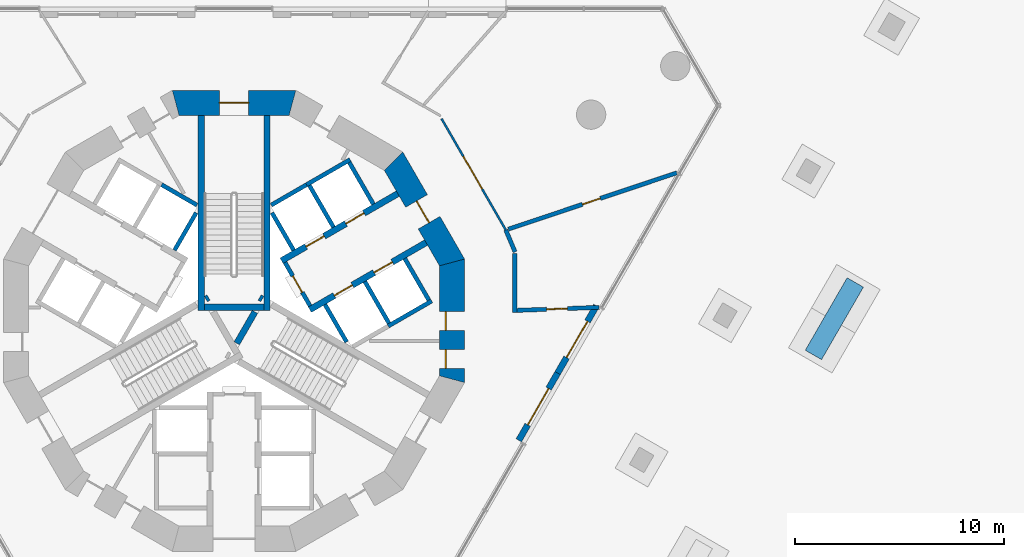
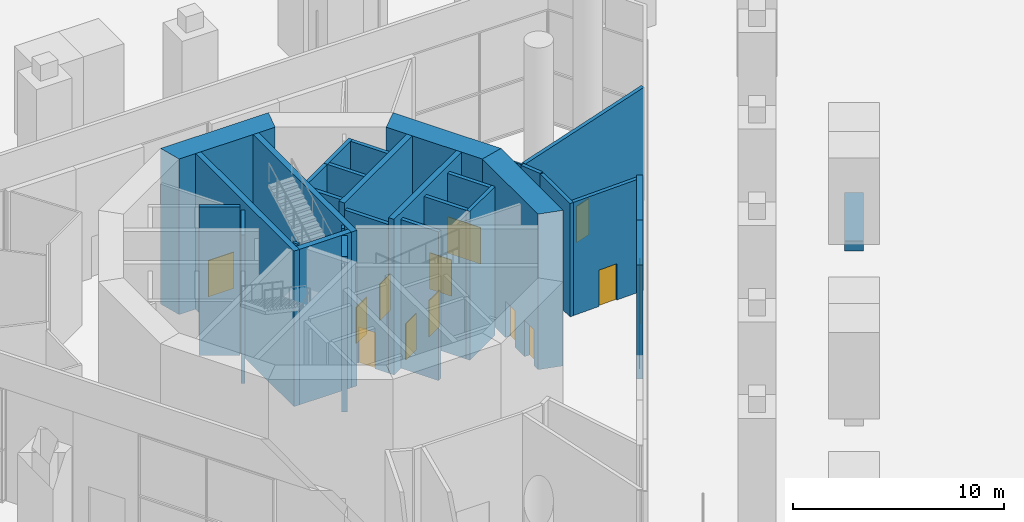
# One storey, part 9 of 26: 31 walls, 14 doors, 14 openings.
"""IFC4 building model written with IfcOpenShell, lengths in metres."""

import ifcopenshell
import ifcopenshell.guid

model = None  # the IFC model being written
_history = None  # IfcOwnerHistory: only IFC2X3 demands one
_inside = {}  # id of a spatial element -> (the spatial element, [elements in it])
_under = {}  # id of a project, library or spatial element -> (it, [spatial elements below it])
_declared = {}  # id of a project -> (the project, [libraries it declares])
_typed = {}  # id of a type object -> (the type object, [elements of that type])
_made_of = {}  # id of a material, layer set ... -> (it, [elements and type objects made of it])


def new_model(schema):
    """Start an empty IFC model of exactly this schema.

    Asked for "IFC4X3", IfcOpenShell would pick the latest addendum, in which some entities
    have other attributes; the version numbers below select the first issue.
    IFC2X3 requires an IfcOwnerHistory on every rooted entity: one is made here for all.
    """
    global model, _history
    if schema == "IFC4X3":
        model = ifcopenshell.file(schema_version=(4, 3, 0, 0))
    else:
        model = ifcopenshell.file(schema=schema)
    _inside.clear()
    _under.clear()
    _declared.clear()
    _typed.clear()
    _made_of.clear()
    _history = None
    if model.schema == "IFC2X3":
        org = make("IfcOrganization", Name="unknown")
        user = make(
            "IfcPersonAndOrganization",
            ThePerson=make("IfcPerson", FamilyName="unknown"),
            TheOrganization=org,
        )
        app = make(
            "IfcApplication",
            ApplicationDeveloper=org,
            Version="unknown",
            ApplicationFullName="unknown",
            ApplicationIdentifier="unknown",
        )
        _history = make(
            "IfcOwnerHistory",
            OwningUser=user,
            OwningApplication=app,
            ChangeAction="ADDED",
            CreationDate=0,
        )
    return model


def make(cls, **values):
    """One entity of the class cls with the attributes given. An attribute that is None is left unset."""
    return model.create_entity(
        cls, **{name: value for name, value in values.items() if value is not None}
    )


def rooted(cls, **values):
    """An entity with a GlobalId (a new one), such as an element, a storey or a relation."""
    return make(cls, GlobalId=ifcopenshell.guid.new(), OwnerHistory=_history, **values)


def si_unit(unit_type, name, prefix=None):
    """IfcSIUnit, for example si_unit("LENGTHUNIT", "METRE", prefix="MILLI")."""
    return make("IfcSIUnit", UnitType=unit_type, Prefix=prefix, Name=name)


def assignment(units):
    """IfcUnitAssignment: the units of a project."""
    return None if units is None else make("IfcUnitAssignment", Units=units)


def point(xyz):
    """IfcCartesianPoint."""
    return None if xyz is None else make("IfcCartesianPoint", Coordinates=xyz)


def direction(xyz):
    """IfcDirection."""
    return None if xyz is None else make("IfcDirection", DirectionRatios=xyz)


def frame(location, z_axis=None, x_axis=None):
    """IfcAxis2Placement3D, a coordinate frame: its origin and axes. An axis left out is left unset."""
    return make(
        "IfcAxis2Placement3D",
        Location=point(location),
        Axis=direction(z_axis),
        RefDirection=direction(x_axis),
    )


def frame_2d(location, x_axis=None):
    """IfcAxis2Placement2D, a coordinate frame in the plane: its origin and x axis."""
    return make(
        "IfcAxis2Placement2D", Location=point(location), RefDirection=direction(x_axis)
    )


def origin():
    """The frame at (0, 0, 0) with its axes left unset."""
    return frame((0.0, 0.0, 0.0))


def place(relative_to, where):
    """IfcLocalPlacement: puts the frame where relative to a parent placement (None: the world)."""
    return make(
        "IfcLocalPlacement", PlacementRelTo=relative_to, RelativePlacement=where
    )


def context(
    kind, dimensions, precision=None, world=None, true_north=None, identifier=None
):
    """IfcGeometricRepresentationContext, for example the 3D "Model" context."""
    return make(
        "IfcGeometricRepresentationContext",
        ContextIdentifier=identifier,
        ContextType=kind,
        CoordinateSpaceDimension=dimensions,
        Precision=precision,
        WorldCoordinateSystem=world,
        TrueNorth=true_north,
    )


def subcontext(parent, identifier, kind, view, scale=None):
    """IfcGeometricRepresentationSubContext, for example "Body" below "Model"."""
    return make(
        "IfcGeometricRepresentationSubContext",
        ContextIdentifier=identifier,
        ContextType=kind,
        ParentContext=parent,
        TargetScale=scale,
        TargetView=view,
    )


def project(units=None, contexts=None):
    """IfcProject with its units and contexts."""
    return rooted(
        "IfcProject",
        Name="project",
        RepresentationContexts=contexts,
        UnitsInContext=assignment(units),
    )


def spatial(cls, under=None, at=None, **own):
    """A site, building, storey or space (cls), placed at a placement, below another one or the project."""
    s = rooted(cls, ObjectPlacement=at, **own)
    if under is not None:
        _under.setdefault(under.id(), (under, []))[1].append(s)
    return s


def polyline(points):
    """IfcPolyline through the points."""
    return make("IfcPolyline", Points=[point(p) for p in points])


def profile(cls, at=None, kind="AREA", **sizes):
    """A parametric profile (cls). Its sizes go by their IFC names, for example OverallWidth=200.0."""
    return make(cls, ProfileType=kind, Position=at, **sizes)


def rectangle(**sizes):
    """IfcRectangleProfileDef."""
    return profile("IfcRectangleProfileDef", **sizes)


def outline(outer, holes=None, kind="AREA"):
    """IfcArbitraryClosedProfileDef: a profile drawn as a closed curve; with holes, ...WithVoids."""
    if holes is None:
        return make("IfcArbitraryClosedProfileDef", ProfileType=kind, OuterCurve=outer)
    return make(
        "IfcArbitraryProfileDefWithVoids",
        ProfileType=kind,
        OuterCurve=outer,
        InnerCurves=holes,
    )


def extrude(swept, where, along, depth):
    """IfcExtrudedAreaSolid: the profile swept, set in the frame where, extruded along a direction by depth."""
    return make(
        "IfcExtrudedAreaSolid",
        SweptArea=swept,
        Position=where,
        ExtrudedDirection=direction(along),
        Depth=depth,
    )


def shape(context_of_items, identifier, shape_type, items):
    """IfcShapeRepresentation: the items that make up one representation, for example the "Body"."""
    return make(
        "IfcShapeRepresentation",
        ContextOfItems=context_of_items,
        RepresentationIdentifier=identifier,
        RepresentationType=shape_type,
        Items=items,
    )


def material(Name=None, Category=None):
    """IfcMaterial."""
    return make("IfcMaterial", Name=Name, Category=Category)


def layer(
    of_material, thickness, ventilated=None, Name=None, Category=None, Priority=None
):
    """IfcMaterialLayer: one layer of a wall or slab, of a material (None: an air gap)."""
    return make(
        "IfcMaterialLayer",
        Material=of_material,
        LayerThickness=thickness,
        IsVentilated=ventilated,
        Name=Name,
        Category=Category,
        Priority=Priority,
    )


def layer_set(layers, Name=None):
    """IfcMaterialLayerSet."""
    return make("IfcMaterialLayerSet", MaterialLayers=layers, LayerSetName=Name)


def made_of(thing, what):
    """Note that an element or type object is made of a material, layer set ...; save() writes the relation."""
    if what is not None:
        _made_of.setdefault(what.id(), (what, []))[1].append(thing)
    return thing


def type_object(cls, material=None, **own):
    """A type object (cls), such as IfcWallType, which elements share."""
    return made_of(rooted(cls, **own), material)


def element(
    cls,
    number,
    at=None,
    inside=None,
    cuts=None,
    type_object=None,
    material=None,
    context=None,
    identifier="Body",
    shape_type=None,
    held_by="IfcProductDefinitionShape",
    body=None,
    shapes=None,
    **own,
):
    """One element of the class cls, such as IfcWall. Its Tag is "e" and its number.

    at: its placement. inside: the storey or other place that contains it. cuts: it is an
    opening in that element (IfcRelVoidsElement). A single representation is given by context,
    identifier, shape_type and body (its items); several are given by shapes. held_by: the class
    of the entity that holds the representations. save() writes the other relations.
    """
    e = rooted(cls, Tag="e%d" % number, ObjectPlacement=at, **own)
    if body is not None:
        shapes = [shape(context, identifier, shape_type, body)]
    if shapes is not None:
        e.Representation = make(held_by, Representations=shapes)
    if inside is not None:
        _inside.setdefault(inside.id(), (inside, []))[1].append(e)
    if cuts is not None:
        rooted(
            "IfcRelVoidsElement", RelatingBuildingElement=cuts, RelatedOpeningElement=e
        )
    if type_object is not None:
        _typed.setdefault(type_object.id(), (type_object, []))[1].append(e)
    return made_of(e, material)


def fill(opening, filler):
    """IfcRelFillsElement: the door or window that sits in an opening."""
    return rooted(
        "IfcRelFillsElement",
        RelatingOpeningElement=opening,
        RelatedBuildingElement=filler,
    )


def aggregate(whole, parts):
    """IfcRelAggregates: a whole, such as a stair, and the parts it consists of."""
    return rooted("IfcRelAggregates", RelatingObject=whole, RelatedObjects=parts)


def save(model, path):
    """Write the relations noted so far, then the file.

    IfcRelAggregates (storeys below a building ...), IfcRelContainedInSpatialStructure (elements
    in a storey), IfcRelDefinesByType, IfcRelAssociatesMaterial and IfcRelDeclares: one each for
    every whole, place, type object, material and project.
    """
    for whole, parts in _under.values():
        aggregate(whole, parts)
    for where, things in _inside.values():
        rooted(
            "IfcRelContainedInSpatialStructure",
            RelatedElements=things,
            RelatingStructure=where,
        )
    for kind, things in _typed.values():
        rooted("IfcRelDefinesByType", RelatedObjects=things, RelatingType=kind)
    for what, things in _made_of.values():
        rooted("IfcRelAssociatesMaterial", RelatedObjects=things, RelatingMaterial=what)
    for by, libraries in _declared.values():
        rooted("IfcRelDeclares", RelatingContext=by, RelatedDefinitions=libraries)
    model.write(path)


model = new_model("IFC4")

# Units and contexts
model_context = context("Model", 3, precision=1e-05, world=origin(), true_north=direction((0.0, 1.0)))
body_context = subcontext(model_context, "Body", "Model", "MODEL_VIEW")
ifc_project = project(units=[si_unit("LENGTHUNIT", "METRE"), si_unit("AREAUNIT", "SQUARE_METRE"), si_unit("VOLUMEUNIT", "CUBIC_METRE"), si_unit("PLANEANGLEUNIT", "RADIAN"), si_unit("MASSUNIT", "GRAM", prefix="KILO")], contexts=[model_context])

# Site, building, storey
site_placement = place(None, origin())
site = spatial("IfcSite", under=ifc_project, at=site_placement, CompositionType="ELEMENT")
building_placement = place(site_placement, origin())
building = spatial("IfcBuilding", under=site, at=building_placement, Name="Trine Commons Tower", CompositionType="ELEMENT")
storey_placement = place(building_placement, origin())
storey = spatial("IfcBuildingStorey", under=building, at=storey_placement, Name="L00", CompositionType="ELEMENT", Elevation=0.0)

# Wall, opening, door
ifc_material_1 = material(Name="Stone-clad concrete C40/50", Category="masonry")
ifc_layer_1 = layer(ifc_material_1, 0.300048828125)
ifc_layer_set_1 = layer_set([ifc_layer_1], Name="Stone-clad concrete C40/50")
wall_type_1 = type_object("IfcWallType", Name="Entrance portal wall 300 mm, stone-clad concrete", PredefinedType="SOLIDWALL", material=ifc_layer_set_1)
wall_1_placement = place(storey_placement, frame((97.31298828125, 63.217529296875, 0.0), z_axis=(0.0, 0.0, 1.0), x_axis=(-0.500037549534, -0.866003723466, 0.0)))
wall_1 = element("IfcWall", 1, at=wall_1_placement, inside=storey, type_object=wall_type_1, Name="Entrance portal X5", PredefinedType="SOLIDWALL", context=body_context, shape_type="SweptSolid", body=[
    extrude(rectangle(XDim=3.711181640625, YDim=0.300048828125, at=frame_2d((1.85546875, 0.0))), origin(), (0.0, 0.0, 1.0), 6.60009765625),
])
opening_1_placement = place(wall_1_placement, frame((0.855712890625, 0.0, 0.0)))
opening_1 = element("IfcOpeningElement", 2, at=opening_1_placement, cuts=wall_1, Name="Opening D-G0X5", PredefinedType="OPENING", context=body_context, shape_type="SweptSolid", body=[
    extrude(rectangle(XDim=2.0, YDim=2.39990234375, at=frame_2d((1.0, 1.199951171875))), frame((0.0, 0.159912109375, 0.0), z_axis=(0.0, -1.0, 0.0), x_axis=(1.0, 0.0, 0.0)), (0.0, 0.0, 1.0), 0.320068359375),
])
ifc_material_2 = material(Name="Painted timber", Category="wood")
door_type_1 = type_object("IfcDoorType", Name="Double swing door 2000x2400, not rated", OperationType="DOUBLE_DOOR_DOUBLE_SWING", PredefinedType="DOOR", material=ifc_material_2)
door_1_placement = place(opening_1_placement, origin())
door_1 = element("IfcDoor", 3, at=door_1_placement, inside=storey, type_object=door_type_1, Name="Door D-G0X5", OperationType="DOUBLE_DOOR_DOUBLE_SWING", OverallHeight=2.39990234375, OverallWidth=2.0, PredefinedType="DOOR", context=body_context, shape_type="SweptSolid", body=[
    extrude(rectangle(XDim=2.0, YDim=2.39990234375, at=frame_2d((1.0, 1.199951171875))), frame((0.0, 0.02490234375, 0.0), z_axis=(0.0, -1.0, 0.0), x_axis=(1.0, 0.0, 0.0)), (0.0, 0.0, 1.0), 0.050048828125),
])
fill(opening_1, door_1)

wall_2_placement = place(storey_placement, frame((95.457275390625, 60.003662109375, 0.0), z_axis=(0.0, 0.0, 1.0), x_axis=(-0.499959725045, -0.866048655292, 0.0)))
wall_2 = element("IfcWall", 4, at=wall_2_placement, inside=storey, type_object=wall_type_1, Name="Entrance portal X6", PredefinedType="SOLIDWALL", context=body_context, shape_type="SweptSolid", body=[
    extrude(rectangle(XDim=3.711181640625, YDim=0.300048828125, at=frame_2d((1.85546875, 0.0))), origin(), (0.0, 0.0, 1.0), 6.60009765625),
])
opening_2_placement = place(wall_2_placement, frame((0.855712890625, 0.0, 0.0)))
opening_2 = element("IfcOpeningElement", 5, at=opening_2_placement, cuts=wall_2, Name="Opening D-G0X6", PredefinedType="OPENING", context=body_context, shape_type="SweptSolid", body=[
    extrude(rectangle(XDim=2.0, YDim=2.39990234375, at=frame_2d((1.0, 1.199951171875))), frame((0.0, 0.159912109375, 0.0), z_axis=(0.0, -1.0, 0.0), x_axis=(1.0, 0.0, 0.0)), (0.0, 0.0, 1.0), 0.320068359375),
])
door_2_placement = place(opening_2_placement, origin())
door_2 = element("IfcDoor", 6, at=door_2_placement, inside=storey, type_object=door_type_1, Name="Door D-G0X6", OperationType="DOUBLE_DOOR_DOUBLE_SWING", OverallHeight=2.39990234375, OverallWidth=2.0, PredefinedType="DOOR", context=body_context, shape_type="SweptSolid", body=[
    extrude(rectangle(XDim=2.0, YDim=2.39990234375, at=frame_2d((1.0, 1.199951171875))), frame((0.0, 0.02490234375, 0.0), z_axis=(0.0, -1.0, 0.0), x_axis=(1.0, 0.0, 0.0)), (0.0, 0.0, 1.0), 0.050048828125),
])
fill(opening_2, door_2)

# Wall
ifc_material_3 = material(Name="Plasterboard on steel stud", Category="steel")
ifc_layer_2 = layer(ifc_material_3, 0.199951171875)
ifc_layer_set_2 = layer_set([ifc_layer_2], Name="Plasterboard on steel stud")
wall_type_2 = type_object("IfcWallType", Name="Fire wall 200 mm, EI 120", PredefinedType="PARTITIONING", material=ifc_layer_set_2)
wall_3_placement = place(storey_placement, frame((92.981201171875, 66.839111328125, 0.0), z_axis=(0.0, 0.0, 1.0), x_axis=(0.388325246223, -0.921522383421, 0.0)))
element("IfcWall", 7, at=wall_3_placement, inside=storey, type_object=wall_type_2, Name="Partition G0023", PredefinedType="PARTITIONING", context=body_context, shape_type="SweptSolid", body=[
    extrude(rectangle(XDim=1.13916015625, YDim=0.199951171875, at=frame_2d((0.569580078125, 0.0))), origin(), (0.0, 0.0, 1.0), 6.550048828125),
])

# Wall, opening, door
wall_4_placement = place(storey_placement, frame((93.097412109375, 66.877685546875, 0.0), z_axis=(0.0, 0.0, 1.0), x_axis=(0.948424319511, 0.317003643764, 0.0)))
wall_4 = element("IfcWall", 8, at=wall_4_placement, inside=storey, type_object=wall_type_2, Name="Partition G0024", PredefinedType="PARTITIONING", context=body_context, shape_type="SweptSolid", body=[
    extrude(rectangle(XDim=8.494873046875, YDim=0.199951171875, at=frame_2d((4.24755859375, 0.0))), origin(), (0.0, 0.0, 1.0), 6.550048828125),
])
opening_3_placement = place(wall_4_placement, frame((3.736083984375, 0.0, 0.0)))
opening_3 = element("IfcOpeningElement", 9, at=opening_3_placement, cuts=wall_4, Name="Opening D-G009", PredefinedType="OPENING", context=body_context, shape_type="SweptSolid", body=[
    extrude(rectangle(XDim=0.89990234375, YDim=2.10009765625, at=frame_2d((0.449951171875, 1.050048828125))), frame((0.0, 0.10986328125, 0.0), z_axis=(0.0, -1.0, 0.0), x_axis=(1.0, 0.0, 0.0)), (0.0, 0.0, 1.0), 0.219970703125),
])
ifc_material_4 = material(Name="Timber fire door set", Category="wood")
door_type_2 = type_object("IfcDoorType", Name="Single swing door 900x2100, FD30S", OperationType="SINGLE_SWING_LEFT", PredefinedType="DOOR", material=ifc_material_4)
door_3_placement = place(opening_3_placement, origin())
door_3 = element("IfcDoor", 10, at=door_3_placement, inside=storey, type_object=door_type_2, Name="Door D-G009", OperationType="SINGLE_SWING_LEFT", OverallHeight=2.10009765625, OverallWidth=0.89990234375, PredefinedType="DOOR", context=body_context, shape_type="SweptSolid", body=[
    extrude(rectangle(XDim=0.89990234375, YDim=2.10009765625, at=frame_2d((0.449951171875, 1.050048828125))), frame((0.0, 0.02490234375, 0.0), z_axis=(0.0, -1.0, 0.0), x_axis=(1.0, 0.0, 0.0)), (0.0, 0.0, 1.0), 0.050048828125),
])
fill(opening_3, door_3)

# Wall
wall_5_placement = place(storey_placement, frame((93.41162109375, 62.893798828125, 0.0), z_axis=(0.0, 0.0, 1.0), x_axis=(0.0, 1.0, 0.0)))
element("IfcWall", 11, at=wall_5_placement, inside=storey, type_object=wall_type_2, Name="Partition G0025", PredefinedType="PARTITIONING", context=body_context, shape_type="SweptSolid", body=[
    extrude(rectangle(XDim=2.82666015625, YDim=0.199951171875, at=frame_2d((1.413330078125, 0.0))), origin(), (0.0, 0.0, 1.0), 6.550048828125),
])

# Wall, opening, door
wall_6_placement = place(storey_placement, frame((93.51513671875, 62.998046875, 0.0), z_axis=(0.0, 0.0, 1.0), x_axis=(0.999323654618, 0.036772725232, 0.0)))
wall_6 = element("IfcWall", 12, at=wall_6_placement, inside=storey, type_object=wall_type_2, Name="Partition G0026", PredefinedType="PARTITIONING", context=body_context, shape_type="SweptSolid", body=[
    extrude(rectangle(XDim=3.930419921875, YDim=0.199951171875, at=frame_2d((1.96533203125, 0.0))), origin(), (0.0, 0.0, 1.0), 6.550048828125),
])
opening_4_placement = place(wall_6_placement, frame((1.413330078125, 0.0, 0.0)))
opening_4 = element("IfcOpeningElement", 13, at=opening_4_placement, cuts=wall_6, Name="Opening D-G010", PredefinedType="OPENING", context=body_context, shape_type="SweptSolid", body=[
    extrude(rectangle(XDim=1.0, YDim=2.10009765625, at=frame_2d((0.5, 1.050048828125))), frame((0.0, 0.10986328125, 0.0), z_axis=(0.0, -1.0, 0.0), x_axis=(1.0, 0.0, 0.0)), (0.0, 0.0, 1.0), 0.219970703125),
])
door_type_3 = type_object("IfcDoorType", Name="Single swing door 1000x2100, FD30S", OperationType="SINGLE_SWING_LEFT", PredefinedType="DOOR", material=ifc_material_4)
door_4_placement = place(opening_4_placement, origin())
door_4 = element("IfcDoor", 14, at=door_4_placement, inside=storey, type_object=door_type_3, Name="Door D-G010", OperationType="SINGLE_SWING_LEFT", OverallHeight=2.10009765625, OverallWidth=1.0, PredefinedType="DOOR", context=body_context, shape_type="SweptSolid", body=[
    extrude(rectangle(XDim=1.0, YDim=2.10009765625, at=frame_2d((0.5, 1.050048828125))), frame((0.0, 0.02490234375, 0.0), z_axis=(0.0, -1.0, 0.0), x_axis=(1.0, 0.0, 0.0)), (0.0, 0.0, 1.0), 0.050048828125),
])
fill(opening_4, door_4)

ifc_material_5 = material(Name="Fire-rated gypsum shaft wall system")
ifc_layer_3 = layer(ifc_material_5, 0.199951171875)
ifc_layer_set_3 = layer_set([ifc_layer_3], Name="Fire-rated gypsum shaft wall system")
wall_type_3 = type_object("IfcWallType", Name="Lobby end wall 200 mm, EI 120", PredefinedType="PARTITIONING", material=ifc_layer_set_3)
wall_7_placement = place(storey_placement, frame((83.631103515625, 63.2109375, 0.0), z_axis=(0.0, 0.0, 1.0), x_axis=(-0.50012165622, 0.865955154139, 0.0)))
wall_7 = element("IfcWall", 15, at=wall_7_placement, inside=storey, type_object=wall_type_3, Name="Lobby end wall L00", PredefinedType="PARTITIONING", context=body_context, shape_type="SweptSolid", body=[
    extrude(rectangle(XDim=2.39990234375, YDim=0.199951171875, at=frame_2d((1.199951171875, 0.0))), origin(), (0.0, 0.0, 1.0), 8.60009765625),
])
opening_5_placement = place(wall_7_placement, frame((0.749755859375, 0.0, 0.0)))
opening_5 = element("IfcOpeningElement", 16, at=opening_5_placement, cuts=wall_7, Name="Opening K03.05", PredefinedType="OPENING", context=body_context, shape_type="SweptSolid", body=[
    extrude(rectangle(XDim=0.89990234375, YDim=2.10009765625, at=frame_2d((0.449951171875, 1.050048828125))), frame((0.0, 0.10986328125, 0.0), z_axis=(0.0, -1.0, 0.0), x_axis=(1.0, 0.0, 0.0)), (0.0, 0.0, 1.0), 0.219970703125),
])
ifc_material_6 = material(Name="Steel door leaf, fire-rated", Category="steel")
door_type_4 = type_object("IfcDoorType", Name="Riser access door, single leaf 900 x 2100, FD60", OperationType="SINGLE_SWING_LEFT", PredefinedType="DOOR", material=ifc_material_6)
door_5_placement = place(opening_5_placement, frame((0.89990234375, 0.0, 0.0), z_axis=(0.0, 0.0, 1.0), x_axis=(-1.0, 0.0, 0.0)))
door_5 = element("IfcDoor", 17, at=door_5_placement, inside=storey, type_object=door_type_4, Name="Riser door, Electrical riser L00", OperationType="SINGLE_SWING_LEFT", OverallHeight=2.10009765625, OverallWidth=0.89990234375, PredefinedType="DOOR", context=body_context, shape_type="SweptSolid", body=[
    extrude(rectangle(XDim=0.89990234375, YDim=2.10009765625, at=frame_2d((0.449951171875, 1.050048828125))), frame((0.0, 0.02490234375, 0.0), z_axis=(0.0, -1.0, 0.0), x_axis=(1.0, 0.0, 0.0)), (0.0, 0.0, 1.0), 0.050048828125),
])
fill(opening_5, door_5)

ifc_layer_4 = layer(ifc_material_3, 0.10009765625)
ifc_layer_set_4 = layer_set([ifc_layer_4], Name="Plasterboard on steel stud")
wall_type_4 = type_object("IfcWallType", Name="Partition wall 100 mm stud, not rated", PredefinedType="PARTITIONING", material=ifc_layer_set_4)
wall_8_placement = place(storey_placement, frame((92.9814453125, 66.838623046875, 0.0), z_axis=(0.0, 0.0, 1.0), x_axis=(-0.500021881368, 0.866012770202, 0.0)))
wall_8 = element("IfcWall", 18, at=wall_8_placement, inside=storey, type_object=wall_type_4, Name="Partition G0022", PredefinedType="PARTITIONING", context=body_context, shape_type="SweptSolid", body=[
    extrude(rectangle(XDim=6.140380859375, YDim=0.10009765625, at=frame_2d((3.0703125, 0.0))), origin(), (0.0, 0.0, 1.0), 6.550048828125),
])
opening_6_placement = place(wall_8_placement, frame((2.263427734375, 0.0, 0.0)))
opening_6 = element("IfcOpeningElement", 19, at=opening_6_placement, cuts=wall_8, Name="Opening D-G008", PredefinedType="OPENING", context=body_context, shape_type="SweptSolid", body=[
    extrude(rectangle(XDim=1.800048828125, YDim=2.10009765625, at=frame_2d((0.89990234375, 1.050048828125))), frame((0.0, 0.06005859375, 0.0), z_axis=(0.0, -1.0, 0.0), x_axis=(1.0, 0.0, 0.0)), (0.0, 0.0, 1.0), 0.1201171875),
])
door_type_5 = type_object("IfcDoorType", Name="Double swing door 1800x2100, not rated", OperationType="DOUBLE_DOOR_DOUBLE_SWING", PredefinedType="DOOR", material=ifc_material_2)
door_6_placement = place(opening_6_placement, origin())
door_6 = element("IfcDoor", 20, at=door_6_placement, inside=storey, type_object=door_type_5, Name="Door D-G008", OperationType="DOUBLE_DOOR_DOUBLE_SWING", OverallHeight=2.10009765625, OverallWidth=1.800048828125, PredefinedType="DOOR", context=body_context, shape_type="SweptSolid", body=[
    extrude(rectangle(XDim=1.800048828125, YDim=2.10009765625, at=frame_2d((0.89990234375, 1.050048828125))), frame((0.0, 0.02490234375, 0.0), z_axis=(0.0, -1.0, 0.0), x_axis=(1.0, 0.0, 0.0)), (0.0, 0.0, 1.0), 0.050048828125),
])
fill(opening_6, door_6)

# Wall
ifc_material_7 = material(Name="Planter trough, precast concrete C40/50", Category="concrete")
ifc_layer_5 = layer(ifc_material_7, 0.89990234375)
ifc_layer_set_5 = layer_set([ifc_layer_5], Name="Planter trough, precast concrete C40/50")
wall_type_5 = type_object("IfcWallType", Name="Planter trough 900x600", PredefinedType="PARAPET", material=ifc_layer_set_5)
wall_9_placement = place(storey_placement, frame((109.677001953125, 64.3330078125, 0.0), z_axis=(0.0, 0.0, 1.0), x_axis=(-0.49999894854, -0.866026010844, 0.0)))
element("IfcWall", 21, at=wall_9_placement, inside=storey, type_object=wall_type_5, Name="Plaza planter 4", PredefinedType="PARAPET", context=body_context, shape_type="SweptSolid", body=[
    extrude(rectangle(XDim=4.0, YDim=0.89990234375, at=frame_2d((2.0, 0.0))), origin(), (0.0, 0.0, 1.0), 0.60009765625),
])

# Wall, openings, doors
ifc_material_8 = material(Name="Concrete C80/95", Category="concrete")
ifc_layer_6 = layer(ifc_material_8, 1.199951171875)
ifc_layer_set_6 = layer_set([ifc_layer_6], Name="Concrete C80/95")
wall_type_6 = type_object("IfcWallType", Name="RC shear wall 1200 mm, C80/95", PredefinedType="SHEAR", material=ifc_layer_set_6)
wall_10_placement = place(storey_placement, frame((90.41162109375, 59.549560546875, 0.0), z_axis=(0.0, 0.0, 1.0), x_axis=(0.0, 1.0, 0.0)))
wall_10 = element("IfcWall", 22, at=wall_10_placement, inside=storey, type_object=wall_type_6, Name="Core wall CWA-01 L00", PredefinedType="SHEAR", context=body_context, shape_type="SweptSolid", body=[
    extrude(outline(polyline([(0.0, -0.60009765625), (5.90087890625, -0.60009765625), (5.57958984375, 0.60009765625), (0.321533203125, 0.60009765625), (0.0, -0.60009765625)])), origin(), (0.0, 0.0, 1.0), 9.0),
])
opening_7_placement = place(wall_10_placement, frame((0.675537109375, 0.0, 0.0)))
opening_7 = element("IfcOpeningElement", 23, at=opening_7_placement, cuts=wall_10, Name="Opening K03.18", PredefinedType="OPENING", context=body_context, shape_type="SweptSolid", body=[
    extrude(rectangle(XDim=0.89990234375, YDim=2.10009765625, at=frame_2d((0.449951171875, 1.050048828125))), frame((0.0, 0.60986328125, 0.0), z_axis=(0.0, -1.0, 0.0), x_axis=(1.0, 0.0, 0.0)), (0.0, 0.0, 1.0), 1.219970703125),
])
opening_8_placement = place(wall_10_placement, frame((2.487548828125, 0.0, 0.0)))
opening_8 = element("IfcOpeningElement", 24, at=opening_8_placement, cuts=wall_10, Name="Opening K03.19", PredefinedType="OPENING", context=body_context, shape_type="SweptSolid", body=[
    extrude(rectangle(XDim=0.89990234375, YDim=2.10009765625, at=frame_2d((0.449951171875, 1.050048828125))), frame((0.0, 0.60986328125, 0.0), z_axis=(0.0, -1.0, 0.0), x_axis=(1.0, 0.0, 0.0)), (0.0, 0.0, 1.0), 1.219970703125),
])
door_type_6 = type_object("IfcDoorType", Name="Core room door, single leaf 900 x 2100, FD30S", OperationType="SINGLE_SWING_LEFT", PredefinedType="DOOR", material=ifc_material_6)
door_7_placement = place(opening_7_placement, origin())
door_7 = element("IfcDoor", 25, at=door_7_placement, inside=storey, type_object=door_type_6, Name="Door to Parcel store L00", OperationType="SINGLE_SWING_LEFT", OverallHeight=2.10009765625, OverallWidth=0.89990234375, PredefinedType="DOOR", context=body_context, shape_type="SweptSolid", body=[
    extrude(rectangle(XDim=0.89990234375, YDim=2.10009765625, at=frame_2d((0.449951171875, 1.050048828125))), frame((0.0, 0.3251953125, 0.0), z_axis=(0.0, -1.0, 0.0), x_axis=(1.0, 0.0, 0.0)), (0.0, 0.0, 1.0), 0.050048828125),
])
fill(opening_7, door_7)
door_8_placement = place(opening_8_placement, origin())
door_8 = element("IfcDoor", 26, at=door_8_placement, inside=storey, type_object=door_type_6, Name="Door to Print room L00", OperationType="SINGLE_SWING_LEFT", OverallHeight=2.10009765625, OverallWidth=0.89990234375, PredefinedType="DOOR", context=body_context, shape_type="SweptSolid", body=[
    extrude(rectangle(XDim=0.89990234375, YDim=2.10009765625, at=frame_2d((0.449951171875, 1.050048828125))), frame((0.0, 0.3251953125, 0.0), z_axis=(0.0, -1.0, 0.0), x_axis=(1.0, 0.0, 0.0)), (0.0, 0.0, 1.0), 0.050048828125),
])
fill(opening_8, door_8)

# Wall, opening, door
wall_11_placement = place(storey_placement, frame((90.491943359375, 65.150390625, 0.0), z_axis=(0.0, 0.0, 1.0), x_axis=(-0.499979111662, 0.866037463336, 0.0)))
wall_11 = element("IfcWall", 27, at=wall_11_placement, inside=storey, type_object=wall_type_6, Name="Core wall CWA-02 L00", PredefinedType="SHEAR", context=body_context, shape_type="SweptSolid", body=[
    extrude(outline(polyline([(0.0, -0.60009765625), (5.901123046875, -0.60009765625), (5.57958984375, 0.60009765625), (0.321533203125, 0.60009765625), (0.0, -0.60009765625)])), origin(), (0.0, 0.0, 1.0), 9.0),
])
opening_9_placement = place(wall_11_placement, frame((2.3505859375, 0.0, 0.0)))
opening_9 = element("IfcOpeningElement", 28, at=opening_9_placement, cuts=wall_11, Name="Opening K03.04", PredefinedType="OPENING", context=body_context, shape_type="SweptSolid", body=[
    extrude(rectangle(XDim=1.199951171875, YDim=2.10009765625, at=frame_2d((0.60009765625, 1.050048828125))), frame((0.0, 0.60986328125, 0.0), z_axis=(0.0, -1.0, 0.0), x_axis=(1.0, 0.0, 0.0)), (0.0, 0.0, 1.0), 1.219970703125),
])
ifc_material_9 = material(Name="Steel door leaves, fire-rated", Category="steel")
door_type_7 = type_object("IfcDoorType", Name="Lobby door, double leaf 1200 x 2100, FD60", OperationType="DOUBLE_DOOR_SINGLE_SWING", PredefinedType="DOOR", material=ifc_material_9)
door_9_placement = place(opening_9_placement, origin())
door_9 = element("IfcDoor", 29, at=door_9_placement, inside=storey, type_object=door_type_7, Name="Lobby door, Passenger lift lobby A L00", OperationType="DOUBLE_DOOR_SINGLE_SWING", OverallHeight=2.10009765625, OverallWidth=1.199951171875, PredefinedType="DOOR", context=body_context, shape_type="SweptSolid", body=[
    extrude(rectangle(XDim=1.199951171875, YDim=2.10009765625, at=frame_2d((0.60009765625, 1.050048828125))), frame((0.0, 0.02490234375, 0.0), z_axis=(0.0, -1.0, 0.0), x_axis=(1.0, 0.0, 0.0)), (0.0, 0.0, 1.0), 0.050048828125),
])
fill(opening_9, door_9)

wall_12_placement = place(storey_placement, frame((82.950439453125, 72.91162109375, 0.0), z_axis=(0.0, 0.0, 1.0), x_axis=(-1.0, 0.0, 0.0)))
wall_12 = element("IfcWall", 30, at=wall_12_placement, inside=storey, type_object=wall_type_6, Name="Core wall CWA-04 L00", PredefinedType="SHEAR", context=body_context, shape_type="SweptSolid", body=[
    extrude(outline(polyline([(0.0, -0.60009765625), (5.90087890625, -0.60009765625), (5.57958984375, 0.60009765625), (0.321533203125, 0.60009765625), (0.0, -0.60009765625)])), origin(), (0.0, 0.0, 1.0), 9.0),
])
opening_10_placement = place(wall_12_placement, frame((2.25048828125, 0.0, 0.0)))
opening_10 = element("IfcOpeningElement", 31, at=opening_10_placement, cuts=wall_12, Name="Opening K03.01", PredefinedType="OPENING", context=body_context, shape_type="SweptSolid", body=[
    extrude(rectangle(XDim=1.39990234375, YDim=2.10009765625, at=frame_2d((0.699951171875, 1.050048828125))), frame((0.0, 0.60986328125, 0.0), z_axis=(0.0, -1.0, 0.0), x_axis=(1.0, 0.0, 0.0)), (0.0, 0.0, 1.0), 1.219970703125),
])
door_type_8 = type_object("IfcDoorType", Name="Stair door, double leaf 1400 x 2100, FD90", OperationType="DOUBLE_DOOR_SINGLE_SWING", PredefinedType="DOOR", material=ifc_material_9)
door_10_placement = place(opening_10_placement, origin())
door_10 = element("IfcDoor", 32, at=door_10_placement, inside=storey, type_object=door_type_8, Name="Stair door to Exit stair ST1A L00", OperationType="DOUBLE_DOOR_SINGLE_SWING", OverallHeight=2.10009765625, OverallWidth=1.39990234375, PredefinedType="DOOR", context=body_context, shape_type="SweptSolid", body=[
    extrude(rectangle(XDim=1.39990234375, YDim=2.10009765625, at=frame_2d((0.699951171875, 1.050048828125))), frame((0.0, 0.02490234375, 0.0), z_axis=(0.0, -1.0, 0.0), x_axis=(1.0, 0.0, 0.0)), (0.0, 0.0, 1.0), 0.050048828125),
])
fill(opening_10, door_10)

# Wall, openings, doors
ifc_layer_7 = layer(ifc_material_8, 0.300048828125)
ifc_layer_set_7 = layer_set([ifc_layer_7], Name="Concrete C80/95")
wall_type_7 = type_object("IfcWallType", Name="RC shear wall 300 mm, C80/95", PredefinedType="SHEAR", material=ifc_layer_set_7)
wall_13_placement = place(storey_placement, frame((82.26904296875, 65.368896484375, 0.0), z_axis=(0.0, 0.0, 1.0), x_axis=(0.866022631842, 0.500004801114, 0.0)))
wall_13 = element("IfcWall", 33, at=wall_13_placement, inside=storey, type_object=wall_type_7, Name="Core cross wall SWA-05 L00", PredefinedType="SHEAR", context=body_context, shape_type="SweptSolid", body=[
    extrude(rectangle(XDim=6.412109375, YDim=0.300048828125, at=frame_2d((3.2060546875, 0.0))), origin(), (0.0, 0.0, 1.0), 9.0),
])
opening_11_placement = place(wall_13_placement, frame((3.55029296875, 0.0, 0.0)))
opening_11 = element("IfcOpeningElement", 34, at=opening_11_placement, cuts=wall_13, Name="Opening LD1", PredefinedType="OPENING", context=body_context, shape_type="SweptSolid", body=[
    extrude(rectangle(XDim=1.0, YDim=2.10009765625, at=frame_2d((0.5, 1.050048828125))), frame((0.0, 0.159912109375, 0.0), z_axis=(0.0, -1.0, 0.0), x_axis=(1.0, 0.0, 0.0)), (0.0, 0.0, 1.0), 0.320068359375),
])
opening_12_placement = place(wall_13_placement, frame((1.3505859375, 0.0, 0.0)))
opening_12 = element("IfcOpeningElement", 35, at=opening_12_placement, cuts=wall_13, Name="Opening LD5", PredefinedType="OPENING", context=body_context, shape_type="SweptSolid", body=[
    extrude(rectangle(XDim=1.0, YDim=2.10009765625, at=frame_2d((0.5, 1.050048828125))), frame((0.0, 0.159912109375, 0.0), z_axis=(0.0, -1.0, 0.0), x_axis=(1.0, 0.0, 0.0)), (0.0, 0.0, 1.0), 0.320068359375),
])
ifc_material_10 = material(Name="Stainless steel sliding door leaves", Category="steel")
door_type_9 = type_object("IfcDoorType", Name="Lift landing door, centre-opening sliding 1000 x 2100, FD90", OperationType="DOUBLE_DOOR_SLIDING", PredefinedType="DOOR", material=ifc_material_10)
door_11_placement = place(opening_11_placement, origin())
door_11 = element("IfcDoor", 36, at=door_11_placement, inside=storey, type_object=door_type_9, Name="Lift landing door LR1 L00", OperationType="DOUBLE_DOOR_SLIDING", OverallHeight=2.10009765625, OverallWidth=1.0, PredefinedType="DOOR", context=body_context, shape_type="SweptSolid", body=[
    extrude(rectangle(XDim=1.0, YDim=2.10009765625, at=frame_2d((0.5, 1.050048828125))), frame((0.0, 0.02490234375, 0.0), z_axis=(0.0, -1.0, 0.0), x_axis=(1.0, 0.0, 0.0)), (0.0, 0.0, 1.0), 0.050048828125),
])
fill(opening_11, door_11)
door_12_placement = place(opening_12_placement, origin())
door_12 = element("IfcDoor", 37, at=door_12_placement, inside=storey, type_object=door_type_9, Name="Lift landing door HR1 L00", OperationType="DOUBLE_DOOR_SLIDING", OverallHeight=2.10009765625, OverallWidth=1.0, PredefinedType="DOOR", context=body_context, shape_type="SweptSolid", body=[
    extrude(rectangle(XDim=1.0, YDim=2.10009765625, at=frame_2d((0.5, 1.050048828125))), frame((0.0, 0.02490234375, 0.0), z_axis=(0.0, -1.0, 0.0), x_axis=(1.0, 0.0, 0.0)), (0.0, 0.0, 1.0), 0.050048828125),
])
fill(opening_12, door_12)

wall_14_placement = place(storey_placement, frame((83.618896484375, 63.031005859375, 0.0), z_axis=(0.0, 0.0, 1.0), x_axis=(0.866032150378, 0.499988314375, 0.0)))
wall_14 = element("IfcWall", 38, at=wall_14_placement, inside=storey, type_object=wall_type_7, Name="Core cross wall SWA-06 L00", PredefinedType="SHEAR", context=body_context, shape_type="SweptSolid", body=[
    extrude(rectangle(XDim=6.412353515625, YDim=0.300048828125, at=frame_2d((3.2060546875, 0.0))), origin(), (0.0, 0.0, 1.0), 9.0),
])
opening_13_placement = place(wall_14_placement, frame((3.55029296875, 0.0, 0.0)))
opening_13 = element("IfcOpeningElement", 39, at=opening_13_placement, cuts=wall_14, Name="Opening LD2", PredefinedType="OPENING", context=body_context, shape_type="SweptSolid", body=[
    extrude(rectangle(XDim=1.0, YDim=2.10009765625, at=frame_2d((0.5, 1.050048828125))), frame((0.0, 0.159912109375, 0.0), z_axis=(0.0, -1.0, 0.0), x_axis=(1.0, 0.0, 0.0)), (0.0, 0.0, 1.0), 0.320068359375),
])
opening_14_placement = place(wall_14_placement, frame((1.350341796875, 0.0, 0.0)))
opening_14 = element("IfcOpeningElement", 40, at=opening_14_placement, cuts=wall_14, Name="Opening LD6", PredefinedType="OPENING", context=body_context, shape_type="SweptSolid", body=[
    extrude(rectangle(XDim=1.0, YDim=2.10009765625, at=frame_2d((0.5, 1.050048828125))), frame((0.0, 0.159912109375, 0.0), z_axis=(0.0, -1.0, 0.0), x_axis=(1.0, 0.0, 0.0)), (0.0, 0.0, 1.0), 0.320068359375),
])
door_13_placement = place(opening_13_placement, origin())
door_13 = element("IfcDoor", 41, at=door_13_placement, inside=storey, type_object=door_type_9, Name="Lift landing door LR2 L00", OperationType="DOUBLE_DOOR_SLIDING", OverallHeight=2.10009765625, OverallWidth=1.0, PredefinedType="DOOR", context=body_context, shape_type="SweptSolid", body=[
    extrude(rectangle(XDim=1.0, YDim=2.10009765625, at=frame_2d((0.5, 1.050048828125))), frame((0.0, 0.02490234375, 0.0), z_axis=(0.0, -1.0, 0.0), x_axis=(1.0, 0.0, 0.0)), (0.0, 0.0, 1.0), 0.050048828125),
])
fill(opening_13, door_13)
door_14_placement = place(opening_14_placement, origin())
door_14 = element("IfcDoor", 42, at=door_14_placement, inside=storey, type_object=door_type_9, Name="Lift landing door HR2 L00", OperationType="DOUBLE_DOOR_SLIDING", OverallHeight=2.10009765625, OverallWidth=1.0, PredefinedType="DOOR", context=body_context, shape_type="SweptSolid", body=[
    extrude(rectangle(XDim=1.0, YDim=2.10009765625, at=frame_2d((0.5, 1.050048828125))), frame((0.0, 0.02490234375, 0.0), z_axis=(0.0, -1.0, 0.0), x_axis=(1.0, 0.0, 0.0)), (0.0, 0.0, 1.0), 0.050048828125),
])
fill(opening_14, door_14)

# Walls
wall_15_placement = place(storey_placement, frame((78.425048828125, 63.0009765625, 0.0), z_axis=(0.0, 0.0, 1.0), x_axis=(0.0, 1.0, 0.0)))
element("IfcWall", 43, at=wall_15_placement, inside=storey, type_object=wall_type_7, Name="Core cross wall SWA-08 L00", PredefinedType="SHEAR", context=body_context, shape_type="SweptSolid", body=[
    extrude(rectangle(XDim=9.31103515625, YDim=0.300048828125, at=frame_2d((4.655517578125, 0.0))), origin(), (0.0, 0.0, 1.0), 9.0),
])
wall_16_placement = place(storey_placement, frame((78.779052734375, 63.614013671875, 0.0), z_axis=(0.0, 0.0, 1.0), x_axis=(-0.867737973955, -0.497021939713, 0.0)))
element("IfcWall", 44, at=wall_16_placement, inside=storey, type_object=wall_type_7, Name="Core cross wall SWA-09 L00", PredefinedType="SHEAR", context=body_context, shape_type="SweptSolid", body=[
    extrude(rectangle(XDim=0.14892578125, YDim=0.300048828125, at=frame_2d((0.074462890625, 0.0))), origin(), (0.0, 0.0, 1.0), 9.0),
])
wall_17_placement = place(storey_placement, frame((80.1298828125, 61.424072265625, 0.0), z_axis=(0.0, 0.0, 1.0), x_axis=(0.500014901547, 0.866016800201, 0.0)))
element("IfcWall", 45, at=wall_17_placement, inside=storey, type_object=wall_type_7, Name="Core cross wall SWA-12 L00", PredefinedType="SHEAR", context=body_context, shape_type="SweptSolid", body=[
    extrude(rectangle(XDim=1.734375, YDim=0.300048828125, at=frame_2d((0.8671875, 0.0))), origin(), (0.0, 0.0, 1.0), 9.0),
])
wall_18_placement = place(storey_placement, frame((81.220947265625, 63.614013671875, 0.0), z_axis=(0.0, 0.0, 1.0), x_axis=(0.867737973955, -0.497021939713, 0.0)))
element("IfcWall", 46, at=wall_18_placement, inside=storey, type_object=wall_type_7, Name="Core cross wall SWA-15 L00", PredefinedType="SHEAR", context=body_context, shape_type="SweptSolid", body=[
    extrude(rectangle(XDim=0.14892578125, YDim=0.300048828125, at=frame_2d((0.074462890625, 0.0))), origin(), (0.0, 0.0, 1.0), 9.0),
])
wall_19_placement = place(storey_placement, frame((81.425048828125, 63.15087890625, 0.0), z_axis=(0.0, 0.0, 1.0), x_axis=(-1.0, 0.0, 0.0)))
element("IfcWall", 47, at=wall_19_placement, inside=storey, type_object=wall_type_7, Name="Core cross wall SWA-16 L00", PredefinedType="SHEAR", context=body_context, shape_type="SweptSolid", body=[
    extrude(rectangle(XDim=2.85009765625, YDim=0.300048828125, at=frame_2d((1.425048828125, 0.0))), origin(), (0.0, 0.0, 1.0), 9.0),
])
wall_20_placement = place(storey_placement, frame((81.574951171875, 63.0009765625, 0.0), z_axis=(0.0, 0.0, 1.0), x_axis=(0.0, 1.0, 0.0)))
element("IfcWall", 48, at=wall_20_placement, inside=storey, type_object=wall_type_7, Name="Core cross wall SWA-17 L00", PredefinedType="SHEAR", context=body_context, shape_type="SweptSolid", body=[
    extrude(rectangle(XDim=9.31103515625, YDim=0.300048828125, at=frame_2d((4.655517578125, 0.0))), origin(), (0.0, 0.0, 1.0), 9.0),
])
ifc_layer_8 = layer(ifc_material_5, 0.199951171875)
ifc_layer_set_8 = layer_set([ifc_layer_8], Name="Fire-rated gypsum shaft wall system")
wall_type_8 = type_object("IfcWallType", Name="Shaft wall 200 mm, EI 120", PredefinedType="PARTITIONING", material=ifc_layer_set_8)
wall_21_placement = place(storey_placement, frame((77.156005859375, 65.8740234375, 0.0), z_axis=(0.0, 0.0, 1.0), x_axis=(0.499865770674, 0.866102887253, 0.0)))
element("IfcWall", 49, at=wall_21_placement, inside=storey, type_object=wall_type_8, Name="Shaft wall L00", PredefinedType="PARTITIONING", context=body_context, shape_type="SweptSolid", body=[
    extrude(rectangle(XDim=2.064453125, YDim=0.199951171875, at=frame_2d((1.0322265625, 0.0))), origin(), (0.0, 0.0, 1.0), 8.60009765625),
])
for number, where, z_axis, x_axis, name in (
    (50, (78.22509765625, 68.028076171875, 0.0), (0.0, 0.0, 1.0), (-0.866052014814, 0.499953905513, 0.0), "Shaft wall L00"),
    (51, (81.77490234375, 68.028076171875, 0.0), (0.0, 0.0, 1.0), (0.866052014814, 0.499953905513, 0.0), "Shaft wall L00"),
):
    element("IfcWall", number, at=place(storey_placement, frame(where, z_axis=z_axis, x_axis=x_axis)), inside=storey, type_object=wall_type_8, Name=name, PredefinedType="PARTITIONING", context=body_context, shape_type="SweptSolid", body=[
        extrude(rectangle(XDim=1.947998046875, YDim=0.199951171875, at=frame_2d((0.97412109375, 0.0))), origin(), (0.0, 0.0, 1.0), 8.60009765625),
    ])
wall_22_placement = place(storey_placement, frame((82.843994140625, 65.8740234375, 0.0), z_axis=(0.0, 0.0, 1.0), x_axis=(-0.499865770674, 0.866102887253, 0.0)))
element("IfcWall", 52, at=wall_22_placement, inside=storey, type_object=wall_type_8, Name="Shaft wall L00", PredefinedType="PARTITIONING", context=body_context, shape_type="SweptSolid", body=[
    extrude(rectangle(XDim=2.064453125, YDim=0.199951171875, at=frame_2d((1.0322265625, 0.0))), origin(), (0.0, 0.0, 1.0), 8.60009765625),
])
wall_23_placement = place(storey_placement, frame((83.4619140625, 69.001953125, 0.0), z_axis=(0.0, 0.0, 1.0), x_axis=(0.866202511239, 0.499693115345, 0.0)))
element("IfcWall", 53, at=wall_23_placement, inside=storey, type_object=wall_type_8, Name="Shaft wall L00", PredefinedType="PARTITIONING", context=body_context, shape_type="SweptSolid", body=[
    extrude(rectangle(XDim=2.4013671875, YDim=0.199951171875, at=frame_2d((1.20068359375, 0.0))), origin(), (0.0, 0.0, 1.0), 8.60009765625),
])
wall_24_placement = place(storey_placement, frame((84.343994140625, 63.27587890625, 0.0), z_axis=(0.0, 0.0, 1.0), x_axis=(0.500271688072, -0.86586848777, 0.0)))
element("IfcWall", 54, at=wall_24_placement, inside=storey, type_object=wall_type_8, Name="Shaft wall L00", PredefinedType="PARTITIONING", context=body_context, shape_type="SweptSolid", body=[
    extrude(rectangle(XDim=2.064697265625, YDim=0.199951171875, at=frame_2d((1.0322265625, 0.0))), origin(), (0.0, 0.0, 1.0), 8.60009765625),
])
for number, where, z_axis, x_axis, name in (
    (55, (84.7490234375, 66.97412109375, 0.0), (0.0, 0.0, 1.0), (-0.500136062276, 0.86594683394, 0.0), "Shaft wall L00"),
    (56, (86.2490234375, 64.3759765625, 0.0), (0.0, 0.0, 1.0), (0.500136062276, -0.86594683394, 0.0), "Shaft wall L00"),
):
    element("IfcWall", number, at=place(storey_placement, frame(where, z_axis=z_axis, x_axis=x_axis)), inside=storey, type_object=wall_type_8, Name=name, PredefinedType="PARTITIONING", context=body_context, shape_type="SweptSolid", body=[
        extrude(rectangle(XDim=2.299072265625, YDim=0.199951171875, at=frame_2d((1.1494140625, 0.0))), origin(), (0.0, 0.0, 1.0), 8.60009765625),
    ])
wall_25_placement = place(storey_placement, frame((86.655029296875, 68.073974609375, 0.0), z_axis=(0.0, 0.0, 1.0), x_axis=(-0.500215680983, 0.865900844496, 0.0)))
element("IfcWall", 57, at=wall_25_placement, inside=storey, type_object=wall_type_8, Name="Shaft wall L00", PredefinedType="PARTITIONING", context=body_context, shape_type="SweptSolid", body=[
    extrude(rectangle(XDim=2.29931640625, YDim=0.199951171875, at=frame_2d((1.149658203125, 0.0))), origin(), (0.0, 0.0, 1.0), 8.60009765625),
])
wall_26_placement = place(storey_placement, frame((87.362060546875, 62.248046875, 0.0), z_axis=(0.0, 0.0, 1.0), x_axis=(0.866177122335, 0.499737123639, 0.0)))
element("IfcWall", 58, at=wall_26_placement, inside=storey, type_object=wall_type_8, Name="Shaft wall L00", PredefinedType="PARTITIONING", context=body_context, shape_type="SweptSolid", body=[
    extrude(rectangle(XDim=2.401123046875, YDim=0.199951171875, at=frame_2d((1.20068359375, 0.0))), origin(), (0.0, 0.0, 1.0), 8.60009765625),
])
wall_27_placement = place(storey_placement, frame((88.155029296875, 65.47607421875, 0.0), z_axis=(0.0, 0.0, 1.0), x_axis=(0.500136062276, -0.86594683394, 0.0)))
element("IfcWall", 59, at=wall_27_placement, inside=storey, type_object=wall_type_8, Name="Shaft wall L00", PredefinedType="PARTITIONING", context=body_context, shape_type="SweptSolid", body=[
    extrude(rectangle(XDim=2.299072265625, YDim=0.199951171875, at=frame_2d((1.1494140625, 0.0))), origin(), (0.0, 0.0, 1.0), 8.60009765625),
])

save(model, "model.ifc")
